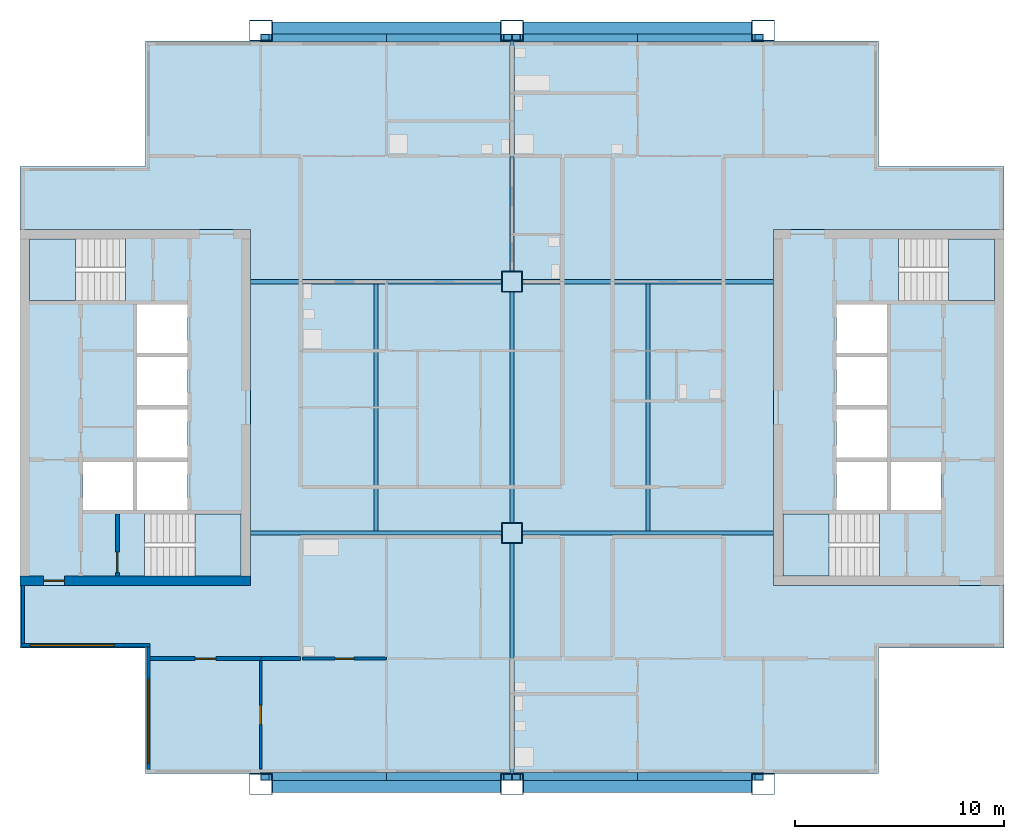
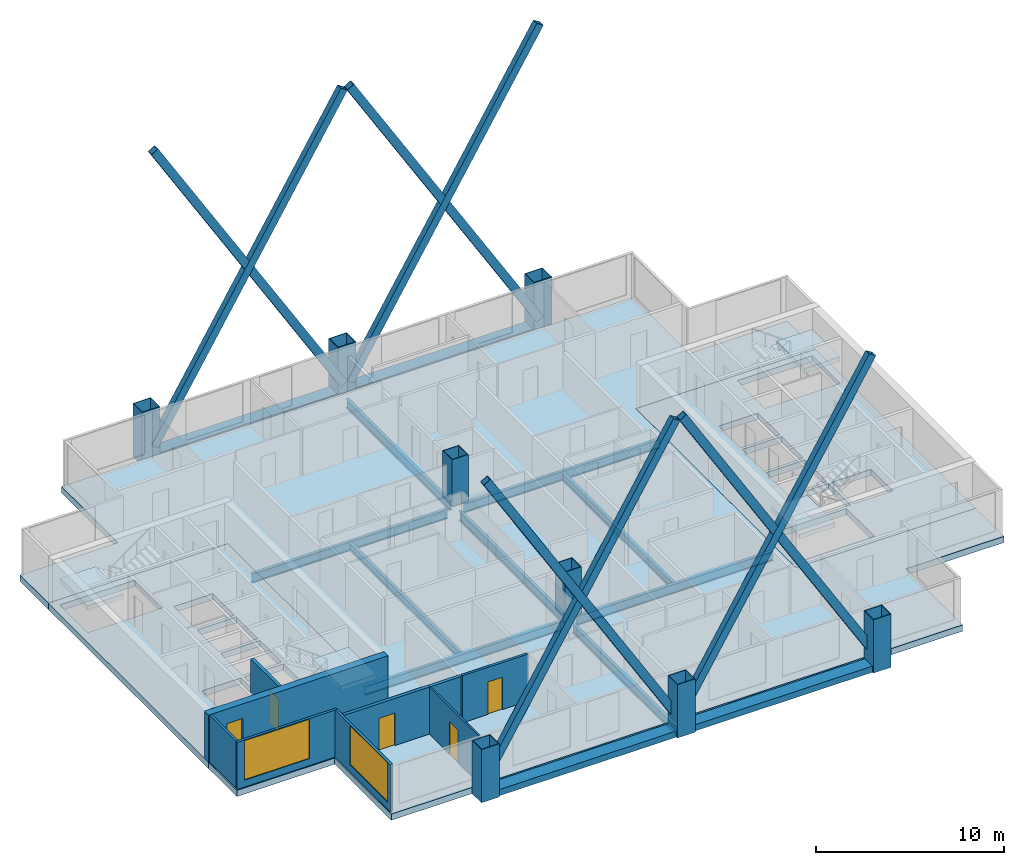
# One storey, part 1 of 9: 13 beams, 9 walls, 8 columns, 8 members, 7 slabs, 5 doors, 2 windows, 7 openings, 4 elements without a shape of their own.
"""IFC4 building model written with IfcOpenShell, lengths in metres."""

import ifcopenshell
import ifcopenshell.guid

model = None  # the IFC model being written
_history = None  # IfcOwnerHistory: only IFC2X3 demands one
_inside = {}  # id of a spatial element -> (the spatial element, [elements in it])
_under = {}  # id of a project, library or spatial element -> (it, [spatial elements below it])
_declared = {}  # id of a project -> (the project, [libraries it declares])
_typed = {}  # id of a type object -> (the type object, [elements of that type])
_made_of = {}  # id of a material, layer set ... -> (it, [elements and type objects made of it])


def new_model(schema):
    """Start an empty IFC model of exactly this schema.

    Asked for "IFC4X3", IfcOpenShell would pick the latest addendum, in which some entities
    have other attributes; the version numbers below select the first issue.
    IFC2X3 requires an IfcOwnerHistory on every rooted entity: one is made here for all.
    """
    global model, _history
    if schema == "IFC4X3":
        model = ifcopenshell.file(schema_version=(4, 3, 0, 0))
    else:
        model = ifcopenshell.file(schema=schema)
    _inside.clear()
    _under.clear()
    _declared.clear()
    _typed.clear()
    _made_of.clear()
    _history = None
    if model.schema == "IFC2X3":
        org = make("IfcOrganization", Name="unknown")
        user = make(
            "IfcPersonAndOrganization",
            ThePerson=make("IfcPerson", FamilyName="unknown"),
            TheOrganization=org,
        )
        app = make(
            "IfcApplication",
            ApplicationDeveloper=org,
            Version="unknown",
            ApplicationFullName="unknown",
            ApplicationIdentifier="unknown",
        )
        _history = make(
            "IfcOwnerHistory",
            OwningUser=user,
            OwningApplication=app,
            ChangeAction="ADDED",
            CreationDate=0,
        )
    return model


def make(cls, **values):
    """One entity of the class cls with the attributes given. An attribute that is None is left unset."""
    return model.create_entity(
        cls, **{name: value for name, value in values.items() if value is not None}
    )


def rooted(cls, **values):
    """An entity with a GlobalId (a new one), such as an element, a storey or a relation."""
    return make(cls, GlobalId=ifcopenshell.guid.new(), OwnerHistory=_history, **values)


def si_unit(unit_type, name, prefix=None):
    """IfcSIUnit, for example si_unit("LENGTHUNIT", "METRE", prefix="MILLI")."""
    return make("IfcSIUnit", UnitType=unit_type, Prefix=prefix, Name=name)


def assignment(units):
    """IfcUnitAssignment: the units of a project."""
    return None if units is None else make("IfcUnitAssignment", Units=units)


def point(xyz):
    """IfcCartesianPoint."""
    return None if xyz is None else make("IfcCartesianPoint", Coordinates=xyz)


def direction(xyz):
    """IfcDirection."""
    return None if xyz is None else make("IfcDirection", DirectionRatios=xyz)


def frame(location, z_axis=None, x_axis=None):
    """IfcAxis2Placement3D, a coordinate frame: its origin and axes. An axis left out is left unset."""
    return make(
        "IfcAxis2Placement3D",
        Location=point(location),
        Axis=direction(z_axis),
        RefDirection=direction(x_axis),
    )


def frame_2d(location, x_axis=None):
    """IfcAxis2Placement2D, a coordinate frame in the plane: its origin and x axis."""
    return make(
        "IfcAxis2Placement2D", Location=point(location), RefDirection=direction(x_axis)
    )


def origin():
    """The frame at (0, 0, 0) with its axes left unset."""
    return frame((0.0, 0.0, 0.0))


def origin_2d():
    """The frame at (0, 0) in the plane with its x axis left unset."""
    return frame_2d((0.0, 0.0))


def place(relative_to, where):
    """IfcLocalPlacement: puts the frame where relative to a parent placement (None: the world)."""
    return make(
        "IfcLocalPlacement", PlacementRelTo=relative_to, RelativePlacement=where
    )


def context(
    kind, dimensions, precision=None, world=None, true_north=None, identifier=None
):
    """IfcGeometricRepresentationContext, for example the 3D "Model" context."""
    return make(
        "IfcGeometricRepresentationContext",
        ContextIdentifier=identifier,
        ContextType=kind,
        CoordinateSpaceDimension=dimensions,
        Precision=precision,
        WorldCoordinateSystem=world,
        TrueNorth=true_north,
    )


def subcontext(parent, identifier, kind, view, scale=None):
    """IfcGeometricRepresentationSubContext, for example "Body" below "Model"."""
    return make(
        "IfcGeometricRepresentationSubContext",
        ContextIdentifier=identifier,
        ContextType=kind,
        ParentContext=parent,
        TargetScale=scale,
        TargetView=view,
    )


def project(units=None, contexts=None):
    """IfcProject with its units and contexts."""
    return rooted(
        "IfcProject",
        Name="project",
        RepresentationContexts=contexts,
        UnitsInContext=assignment(units),
    )


def spatial(cls, under=None, at=None, **own):
    """A site, building, storey or space (cls), placed at a placement, below another one or the project."""
    s = rooted(cls, ObjectPlacement=at, **own)
    if under is not None:
        _under.setdefault(under.id(), (under, []))[1].append(s)
    return s


def polyline(points):
    """IfcPolyline through the points."""
    return make("IfcPolyline", Points=[point(p) for p in points])


def profile(cls, at=None, kind="AREA", **sizes):
    """A parametric profile (cls). Its sizes go by their IFC names, for example OverallWidth=200.0."""
    return make(cls, ProfileType=kind, Position=at, **sizes)


def rectangle(**sizes):
    """IfcRectangleProfileDef."""
    return profile("IfcRectangleProfileDef", **sizes)


def hollow_rectangle(**sizes):
    """IfcRectangleHollowProfileDef."""
    return profile("IfcRectangleHollowProfileDef", **sizes)


def i_section(**sizes):
    """IfcIShapeProfileDef."""
    return profile("IfcIShapeProfileDef", **sizes)


def outline(outer, holes=None, kind="AREA"):
    """IfcArbitraryClosedProfileDef: a profile drawn as a closed curve; with holes, ...WithVoids."""
    if holes is None:
        return make("IfcArbitraryClosedProfileDef", ProfileType=kind, OuterCurve=outer)
    return make(
        "IfcArbitraryProfileDefWithVoids",
        ProfileType=kind,
        OuterCurve=outer,
        InnerCurves=holes,
    )


def extrude(swept, where, along, depth):
    """IfcExtrudedAreaSolid: the profile swept, set in the frame where, extruded along a direction by depth."""
    return make(
        "IfcExtrudedAreaSolid",
        SweptArea=swept,
        Position=where,
        ExtrudedDirection=direction(along),
        Depth=depth,
    )


def shape(context_of_items, identifier, shape_type, items):
    """IfcShapeRepresentation: the items that make up one representation, for example the "Body"."""
    return make(
        "IfcShapeRepresentation",
        ContextOfItems=context_of_items,
        RepresentationIdentifier=identifier,
        RepresentationType=shape_type,
        Items=items,
    )


def material(Name=None, Category=None):
    """IfcMaterial."""
    return make("IfcMaterial", Name=Name, Category=Category)


def layer(
    of_material, thickness, ventilated=None, Name=None, Category=None, Priority=None
):
    """IfcMaterialLayer: one layer of a wall or slab, of a material (None: an air gap)."""
    return make(
        "IfcMaterialLayer",
        Material=of_material,
        LayerThickness=thickness,
        IsVentilated=ventilated,
        Name=Name,
        Category=Category,
        Priority=Priority,
    )


def layer_set(layers, Name=None):
    """IfcMaterialLayerSet."""
    return make("IfcMaterialLayerSet", MaterialLayers=layers, LayerSetName=Name)


def material_profile(
    of_material, cross_section, Name=None, Category=None, Priority=None
):
    """IfcMaterialProfile: a cross section and its material."""
    return make(
        "IfcMaterialProfile",
        Name=Name,
        Material=of_material,
        Profile=cross_section,
        Priority=Priority,
        Category=Category,
    )


def profile_set(profiles, Name=None, composite=None):
    """IfcMaterialProfileSet."""
    return make(
        "IfcMaterialProfileSet",
        Name=Name,
        MaterialProfiles=profiles,
        CompositeProfile=composite,
    )


def made_of(thing, what):
    """Note that an element or type object is made of a material, layer set ...; save() writes the relation."""
    if what is not None:
        _made_of.setdefault(what.id(), (what, []))[1].append(thing)
    return thing


def type_object(cls, material=None, **own):
    """A type object (cls), such as IfcWallType, which elements share."""
    return made_of(rooted(cls, **own), material)


def element(
    cls,
    number,
    at=None,
    inside=None,
    cuts=None,
    type_object=None,
    material=None,
    context=None,
    identifier="Body",
    shape_type=None,
    held_by="IfcProductDefinitionShape",
    body=None,
    shapes=None,
    **own,
):
    """One element of the class cls, such as IfcWall. Its Tag is "e" and its number.

    at: its placement. inside: the storey or other place that contains it. cuts: it is an
    opening in that element (IfcRelVoidsElement). A single representation is given by context,
    identifier, shape_type and body (its items); several are given by shapes. held_by: the class
    of the entity that holds the representations. save() writes the other relations.
    """
    e = rooted(cls, Tag="e%d" % number, ObjectPlacement=at, **own)
    if body is not None:
        shapes = [shape(context, identifier, shape_type, body)]
    if shapes is not None:
        e.Representation = make(held_by, Representations=shapes)
    if inside is not None:
        _inside.setdefault(inside.id(), (inside, []))[1].append(e)
    if cuts is not None:
        rooted(
            "IfcRelVoidsElement", RelatingBuildingElement=cuts, RelatedOpeningElement=e
        )
    if type_object is not None:
        _typed.setdefault(type_object.id(), (type_object, []))[1].append(e)
    return made_of(e, material)


def fill(opening, filler):
    """IfcRelFillsElement: the door or window that sits in an opening."""
    return rooted(
        "IfcRelFillsElement",
        RelatingOpeningElement=opening,
        RelatedBuildingElement=filler,
    )


def aggregate(whole, parts):
    """IfcRelAggregates: a whole, such as a stair, and the parts it consists of."""
    return rooted("IfcRelAggregates", RelatingObject=whole, RelatedObjects=parts)


def save(model, path):
    """Write the relations noted so far, then the file.

    IfcRelAggregates (storeys below a building ...), IfcRelContainedInSpatialStructure (elements
    in a storey), IfcRelDefinesByType, IfcRelAssociatesMaterial and IfcRelDeclares: one each for
    every whole, place, type object, material and project.
    """
    for whole, parts in _under.values():
        aggregate(whole, parts)
    for where, things in _inside.values():
        rooted(
            "IfcRelContainedInSpatialStructure",
            RelatedElements=things,
            RelatingStructure=where,
        )
    for kind, things in _typed.values():
        rooted("IfcRelDefinesByType", RelatedObjects=things, RelatingType=kind)
    for what, things in _made_of.values():
        rooted("IfcRelAssociatesMaterial", RelatedObjects=things, RelatingMaterial=what)
    for by, libraries in _declared.values():
        rooted("IfcRelDeclares", RelatingContext=by, RelatedDefinitions=libraries)
    model.write(path)


model = new_model("IFC4")

# Units and contexts
model_context = context("Model", 3, precision=1e-05, world=origin(), true_north=direction((0.0, 1.0)))
body_context = subcontext(model_context, "Body", "Model", "MODEL_VIEW")
ifc_project = project(units=[si_unit("LENGTHUNIT", "METRE"), si_unit("AREAUNIT", "SQUARE_METRE"), si_unit("VOLUMEUNIT", "CUBIC_METRE"), si_unit("PLANEANGLEUNIT", "RADIAN"), si_unit("MASSUNIT", "GRAM", prefix="KILO")], contexts=[model_context])

# Site, building, storey
site_placement = place(None, origin())
site = spatial("IfcSite", under=ifc_project, at=site_placement, CompositionType="ELEMENT")
building_placement = place(site_placement, origin())
building = spatial("IfcBuilding", under=site, at=building_placement, Name="Kitamizu Gate Tower and Museum", CompositionType="ELEMENT")
storey_placement = place(building_placement, frame((0.0, 0.0, 217.949951171875)))
storey = spatial("IfcBuildingStorey", under=building, at=storey_placement, Name="L58", CompositionType="ELEMENT", Elevation=217.949951171875)

# Columns
ifc_material_1 = material(Name="Steel SM490A bronze coated", Category="steel")
ifc_material_profile_1 = material_profile(ifc_material_1, hollow_rectangle(XDim=1.10009765625, YDim=1.0, WallThickness=0.0400390625, at=origin_2d()), Name="BOX 1100x1000x40")
ifc_profile_set_1 = profile_set([ifc_material_profile_1], Name="Steel SM490A bronze coated")
column_type_1 = type_object("IfcColumnType", Name="Exoskeleton column XC8 BOX 1100x1000x40", PredefinedType="COLUMN", material=ifc_profile_set_1)
for number, where, z_axis, x_axis, name in (
    (1, (24.0, 12.0, -0.39990234375), (0.0, 0.0, 1.0), (1.0, 0.0, 0.0), "Column XC8 3B L58"),
    (2, (24.0, 48.0, -0.39990234375), (0.0, 0.0, 1.0), (1.0, 0.0, 0.0), "Column XC8 3E L58"),
    (3, (36.0, 12.0, -0.39990234375), (0.0, 0.0, 1.0), (1.0, 0.0, 0.0), "Column XC8 4B L58"),
    (4, (36.0, 48.0, -0.39990234375), (0.0, 0.0, 1.0), (1.0, 0.0, 0.0), "Column XC8 4E L58"),
    (5, (48.0, 12.0, -0.39990234375), (0.0, 0.0, 1.0), (1.0, 0.0, 0.0), "Column XC8 5B L58"),
    (6, (48.0, 48.0, -0.39990234375), (0.0, 0.0, 1.0), (1.0, 0.0, 0.0), "Column XC8 5E L58"),
):
    element("IfcColumn", number, at=place(storey_placement, frame(where, z_axis=z_axis, x_axis=x_axis)), inside=storey, type_object=column_type_1, Name=name, PredefinedType="COLUMN", context=body_context, shape_type="SweptSolid", body=[
        extrude(hollow_rectangle(XDim=1.10009765625, YDim=1.0, WallThickness=0.0400390625, at=origin_2d()), origin(), (0.0, 0.0, 1.0), 3.449951171875),
    ])
ifc_material_2 = material(Name="Steel SM490A", Category="steel")
ifc_material_profile_2 = material_profile(ifc_material_2, hollow_rectangle(XDim=1.0, YDim=1.0, WallThickness=0.0400390625, at=origin_2d()), Name="BOX 1000x1000x40")
ifc_profile_set_2 = profile_set([ifc_material_profile_2], Name="Steel SM490A")
column_type_2 = type_object("IfcColumnType", Name="Interior column IC5 BOX 1000x1000x40", PredefinedType="COLUMN", material=ifc_profile_set_2)
for number, where, z_axis, x_axis, name in (
    (7, (36.0, 24.0, 0.0), (0.0, 0.0, 1.0), (1.0, 0.0, 0.0), "Column IC5 4C L58"),
    (8, (36.0, 36.0, 0.0), (0.0, 0.0, 1.0), (1.0, 0.0, 0.0), "Column IC5 4D L58"),
):
    element("IfcColumn", number, at=place(storey_placement, frame(where, z_axis=z_axis, x_axis=x_axis)), inside=storey, type_object=column_type_2, Name=name, PredefinedType="COLUMN", context=body_context, shape_type="SweptSolid", body=[
        extrude(hollow_rectangle(XDim=1.0, YDim=1.0, WallThickness=0.0400390625, at=origin_2d()), origin(), (0.0, 0.0, 1.0), 3.050048828125),
    ])

# Members
ifc_material_3 = material(Name="Steel SM490A bronze coated", Category="steel")
ifc_material_profile_3 = material_profile(ifc_material_3, hollow_rectangle(XDim=0.3798828125, YDim=0.47998046875, WallThickness=0.02587890625, at=origin_2d()), Name="BOX 380x480x26")
ifc_profile_set_3 = profile_set([ifc_material_profile_3], Name="Steel SM490A bronze coated")
member_type = type_object("IfcMemberType", Name="Exoskeleton brace XB10 BOX 380x480x26", PredefinedType="BRACE", material=ifc_profile_set_3)
for number, where, z_axis, x_axis, name in (
    (9, (24.199951171875, 12.360107421875, 0.60009765625), (0.519101004537, 0.0, 0.854712903312), (0.0, 1.0, 0.0), "Exoskeleton brace XB10 south 24 L58"),
    (10, (35.800048828125, 12.360107421875, 0.60009765625), (-0.519101004537, 0.0, 0.854712903312), (0.0, -1.0, 0.0), "Exoskeleton brace XB10 south 24 L58"),
    (11, (36.199951171875, 12.360107421875, 0.60009765625), (0.519101004537, 0.0, 0.854712903312), (0.0, 1.0, 0.0), "Exoskeleton brace XB10 south 36 L58"),
    (12, (47.800048828125, 12.360107421875, 0.60009765625), (-0.519101004537, 0.0, 0.854712903312), (0.0, -1.0, 0.0), "Exoskeleton brace XB10 south 36 L58"),
    (13, (24.199951171875, 47.639892578125, 0.60009765625), (0.519101004537, 0.0, 0.854712903312), (0.0, 1.0, 0.0), "Exoskeleton brace XB10 north 24 L58"),
    (14, (35.800048828125, 47.639892578125, 0.60009765625), (-0.519101004537, 0.0, 0.854712903312), (0.0, -1.0, 0.0), "Exoskeleton brace XB10 north 24 L58"),
    (15, (36.199951171875, 47.639892578125, 0.60009765625), (0.519101004537, 0.0, 0.854712903312), (0.0, 1.0, 0.0), "Exoskeleton brace XB10 north 36 L58"),
    (16, (47.800048828125, 47.639892578125, 0.60009765625), (-0.519101004537, 0.0, 0.854712903312), (0.0, -1.0, 0.0), "Exoskeleton brace XB10 north 36 L58"),
):
    element("IfcMember", number, at=place(storey_placement, frame(where, z_axis=z_axis, x_axis=x_axis)), inside=storey, type_object=member_type, Name=name, PredefinedType="BRACE", context=body_context, shape_type="SweptSolid", body=[
        extrude(hollow_rectangle(XDim=0.3798828125, YDim=0.47998046875, WallThickness=0.02587890625, at=origin_2d()), origin(), (0.0, 0.0, 1.0), 22.346435546875),
    ])

# Beams
ifc_material_4 = material(Name="Steel SM490A bronze coated", Category="steel")
ifc_material_profile_4 = material_profile(ifc_material_4, hollow_rectangle(XDim=0.800048828125, YDim=0.39990234375, WallThickness=0.0400390625, at=origin_2d()), Name="BOX 800x400x40")
ifc_profile_set_4 = profile_set([ifc_material_profile_4], Name="Steel SM490A bronze coated")
beam_type_1 = type_object("IfcBeamType", Name="Exoskeleton spandrel beam SB1 BOX 800x400x40", PredefinedType="SPANDREL", material=ifc_profile_set_4)
for number, where, z_axis, x_axis, name in (
    (17, (24.550048828125, 12.0, -0.199951171875), (1.0, 0.0, 0.0), (0.0, 1.0, 0.0), "Exoskeleton spandrel beam south 24 L58"),
    (18, (36.550048828125, 12.0, -0.199951171875), (1.0, 0.0, 0.0), (0.0, 1.0, 0.0), "Exoskeleton spandrel beam south 36 L58"),
    (19, (24.550048828125, 48.0, -0.199951171875), (1.0, 0.0, 0.0), (0.0, 1.0, 0.0), "Exoskeleton spandrel beam north 24 L58"),
    (20, (36.550048828125, 48.0, -0.199951171875), (1.0, 0.0, 0.0), (0.0, 1.0, 0.0), "Exoskeleton spandrel beam north 36 L58"),
):
    element("IfcBeam", number, at=place(storey_placement, frame(where, z_axis=z_axis, x_axis=x_axis)), inside=storey, type_object=beam_type_1, Name=name, PredefinedType="SPANDREL", context=body_context, shape_type="SweptSolid", body=[
        extrude(hollow_rectangle(XDim=0.800048828125, YDim=0.39990234375, WallThickness=0.0400390625, at=origin_2d()), origin(), (0.0, 0.0, 1.0), 10.89990234375),
    ])
ifc_material_5 = material(Name="Steel SM490A", Category="steel")
ifc_material_profile_5 = material_profile(ifc_material_5, i_section(OverallWidth=0.199951171875, OverallDepth=0.5, WebThickness=0.010009765625, FlangeThickness=0.01611328125, FilletRadius=0.02001953125, at=origin_2d()), Name="H-500x200x10x16")
ifc_profile_set_5 = profile_set([ifc_material_profile_5], Name="Steel SM490A")
beam_type_2 = type_object("IfcBeamType", Name="Floor beam FB1 H 500x200x10x16", PredefinedType="BEAM", material=ifc_profile_set_5)
for number, where, z_axis, x_axis, name in (
    (21, (29.5, 24.10009765625, -0.64990234375), (0.0, 1.0, 0.0), (-1.0, 0.0, 0.0), "Floor beam FB1 L58-1"),
    (22, (42.5, 24.10009765625, -0.64990234375), (0.0, 1.0, 0.0), (-1.0, 0.0, 0.0), "Floor beam FB1 L58-2"),
):
    element("IfcBeam", number, at=place(storey_placement, frame(where, z_axis=z_axis, x_axis=x_axis)), inside=storey, type_object=beam_type_2, Name=name, PredefinedType="BEAM", context=body_context, shape_type="SweptSolid", body=[
        extrude(i_section(OverallWidth=0.199951171875, OverallDepth=0.5, WebThickness=0.010009765625, FlangeThickness=0.01611328125, FilletRadius=0.02001953125, at=origin_2d()), origin(), (0.0, 0.0, 1.0), 11.7998046875),
    ])
ifc_material_6 = material(Name="Steel SM490A", Category="steel")
ifc_material_profile_6 = material_profile(ifc_material_6, i_section(OverallWidth=0.199951171875, OverallDepth=0.60009765625, WebThickness=0.010986328125, FlangeThickness=0.01708984375, FilletRadius=0.02197265625, at=origin_2d()), Name="H-600x200x11x17")
ifc_profile_set_6 = profile_set([ifc_material_profile_6], Name="Steel SM490A")
beam_type_3 = type_object("IfcBeamType", Name="Floor girder FG1 H 600x200x11x17", PredefinedType="BEAM", material=ifc_profile_set_6)
for number, where, z_axis, x_axis, name in (
    (23, (36.0, 12.5, -0.699951171875), (0.0, 1.0, 0.0), (-1.0, 0.0, 0.0), "Floor girder FG1 x36 L58"),
    (24, (36.0, 24.5, -0.699951171875), (0.0, 1.0, 0.0), (-1.0, 0.0, 0.0), "Floor girder FG1 x36 L58"),
    (25, (36.0, 36.5, -0.699951171875), (0.0, 1.0, 0.0), (-1.0, 0.0, 0.0), "Floor girder FG1 x36 L58"),
):
    element("IfcBeam", number, at=place(storey_placement, frame(where, z_axis=z_axis, x_axis=x_axis)), inside=storey, type_object=beam_type_3, Name=name, PredefinedType="BEAM", context=body_context, shape_type="SweptSolid", body=[
        extrude(i_section(OverallWidth=0.199951171875, OverallDepth=0.60009765625, WebThickness=0.010986328125, FlangeThickness=0.01708984375, FilletRadius=0.02197265625, at=origin_2d()), origin(), (0.0, 0.0, 1.0), 11.0),
    ])
for number, where, z_axis, x_axis, name in (
    (26, (23.5, 24.0, -0.699951171875), (1.0, 0.0, 0.0), (0.0, 1.0, 0.0), "Floor girder FG1 y24 L58"),
    (27, (36.5, 24.0, -0.699951171875), (1.0, 0.0, 0.0), (0.0, 1.0, 0.0), "Floor girder FG1 y24 L58"),
    (28, (23.5, 36.0, -0.699951171875), (1.0, 0.0, 0.0), (0.0, 1.0, 0.0), "Floor girder FG1 y36 L58"),
    (29, (36.5, 36.0, -0.699951171875), (1.0, 0.0, 0.0), (0.0, 1.0, 0.0), "Floor girder FG1 y36 L58"),
):
    element("IfcBeam", number, at=place(storey_placement, frame(where, z_axis=z_axis, x_axis=x_axis)), inside=storey, type_object=beam_type_3, Name=name, PredefinedType="BEAM", context=body_context, shape_type="SweptSolid", body=[
        extrude(i_section(OverallWidth=0.199951171875, OverallDepth=0.60009765625, WebThickness=0.010986328125, FlangeThickness=0.01708984375, FilletRadius=0.02197265625, at=origin_2d()), origin(), (0.0, 0.0, 1.0), 12.0),
    ])

# Slabs
ifc_material_7 = material(Name="Concrete Fc36", Category="concrete")
ifc_layer_1 = layer(ifc_material_7, 0.39990234375)
ifc_layer_set_1 = layer_set([ifc_layer_1], Name="Concrete Fc36")
slab_type_1 = type_object("IfcSlabType", Name="Core floor slab 400", PredefinedType="FLOOR", material=ifc_layer_set_1)
slab_1_placement = place(storey_placement, frame((0.0, 0.0, -0.39990234375)))
element("IfcSlab", 30, at=slab_1_placement, inside=storey, type_object=slab_type_1, Name="Core floor slab W", PredefinedType="FLOOR", context=body_context, shape_type="SweptSolid", body=[
    extrude(outline(polyline([(12.5, 21.5), (23.5, 21.5), (23.5, 38.5), (12.5, 38.5), (12.5, 21.5)]), holes=[polyline([(15.5, 25.10009765625), (17.89990234375, 25.10009765625), (17.89990234375, 27.39990234375), (15.5, 27.39990234375), (15.5, 25.10009765625)]), polyline([(18.10009765625, 25.10009765625), (20.5, 25.10009765625), (20.5, 27.39990234375), (18.10009765625, 27.39990234375), (18.10009765625, 25.10009765625)]), polyline([(18.10009765625, 27.60009765625), (20.5, 27.60009765625), (20.5, 29.89990234375), (18.10009765625, 29.89990234375), (18.10009765625, 27.60009765625)]), polyline([(18.10009765625, 30.10009765625), (20.5, 30.10009765625), (20.5, 32.39990234375), (18.10009765625, 32.39990234375), (18.10009765625, 30.10009765625)]), polyline([(18.10009765625, 32.60009765625), (20.5, 32.60009765625), (20.5, 34.89990234375), (18.10009765625, 34.89990234375), (18.10009765625, 32.60009765625)]), polyline([(18.45068359375, 21.949951171875), (23.050048828125, 21.949951171875), (23.050048828125, 24.89990234375), (18.45068359375, 24.89990234375), (18.45068359375, 21.949951171875)]), polyline([(12.949951171875, 35.10009765625), (17.54931640625, 35.10009765625), (17.54931640625, 38.050048828125), (12.949951171875, 38.050048828125), (12.949951171875, 35.10009765625)])]), origin(), (0.0, 0.0, 1.0), 0.39990234375),
])
slab_2_placement = place(storey_placement, frame((0.0, 0.0, -0.39990234375)))
element("IfcSlab", 31, at=slab_2_placement, inside=storey, type_object=slab_type_1, Name="Core floor slab E", PredefinedType="FLOOR", context=body_context, shape_type="SweptSolid", body=[
    extrude(outline(polyline([(48.5, 21.5), (59.5, 21.5), (59.5, 38.5), (48.5, 38.5), (48.5, 21.5)]), holes=[polyline([(54.10009765625, 25.10009765625), (56.5, 25.10009765625), (56.5, 27.39990234375), (54.10009765625, 27.39990234375), (54.10009765625, 25.10009765625)]), polyline([(51.5, 25.10009765625), (53.89990234375, 25.10009765625), (53.89990234375, 27.39990234375), (51.5, 27.39990234375), (51.5, 25.10009765625)]), polyline([(51.5, 27.60009765625), (53.89990234375, 27.60009765625), (53.89990234375, 29.89990234375), (51.5, 29.89990234375), (51.5, 27.60009765625)]), polyline([(51.5, 30.10009765625), (53.89990234375, 30.10009765625), (53.89990234375, 32.39990234375), (51.5, 32.39990234375), (51.5, 30.10009765625)]), polyline([(51.5, 32.60009765625), (53.89990234375, 32.60009765625), (53.89990234375, 34.89990234375), (51.5, 34.89990234375), (51.5, 32.60009765625)]), polyline([(48.949951171875, 21.949951171875), (53.54931640625, 21.949951171875), (53.54931640625, 24.89990234375), (48.949951171875, 24.89990234375), (48.949951171875, 21.949951171875)]), polyline([(54.45068359375, 35.10009765625), (59.050048828125, 35.10009765625), (59.050048828125, 38.050048828125), (54.45068359375, 38.050048828125), (54.45068359375, 35.10009765625)])]), origin(), (0.0, 0.0, 1.0), 0.39990234375),
])
ifc_material_8 = material(Name="Concrete Fc36", Category="concrete")
ifc_layer_2 = layer(ifc_material_8, 0.39990234375)
ifc_layer_set_2 = layer_set([ifc_layer_2], Name="Concrete Fc36")
slab_type_2 = type_object("IfcSlabType", Name="Post tensioned flat slab 400", PredefinedType="FLOOR", material=ifc_layer_set_2)
slab_3_placement = place(storey_placement, frame((0.0, 0.0, -0.39990234375)))
element("IfcSlab", 32, at=slab_3_placement, inside=storey, type_object=slab_type_2, Name="Floor slab L58-1", PredefinedType="FLOOR", context=body_context, shape_type="SweptSolid", body=[
    extrude(outline(polyline([(12.5, 18.5), (12.5, 21.5), (23.5, 21.5), (23.5, 38.5), (12.5, 38.5), (12.5, 41.5), (18.5, 41.5), (18.5, 47.5), (53.5, 47.5), (53.5, 41.5), (59.5, 41.5), (59.5, 38.5), (48.5, 38.5), (48.5, 21.5), (59.5, 21.5), (59.5, 18.5), (53.5, 18.5), (53.5, 12.5), (18.5, 12.5), (18.5, 18.5), (12.5, 18.5)])), origin(), (0.0, 0.0, 1.0), 0.39990234375),
])

# Stair, slab
ifc_material_9 = material(Name="Concrete Fc42", Category="concrete")
stair_type = type_object("IfcStairType", Name="Exit stair 1375 wide 192 rise 300 going", PredefinedType="HALF_TURN_STAIR", material=ifc_material_9)
stair_1_placement = place(storey_placement, origin())
stair_1 = element("IfcStair", 33, at=stair_1_placement, inside=storey, type_object=stair_type, Name="Exit stair ST1", PredefinedType="HALF_TURN_STAIR")
ifc_material_10 = material(Name="Concrete Fc42", Category="concrete")
ifc_layer_3 = layer(ifc_material_10, 0.300048828125)
ifc_layer_set_3 = layer_set([ifc_layer_3], Name="Concrete Fc42")
slab_type_3 = type_object("IfcSlabType", Name="Stair landing 300", PredefinedType="LANDING", material=ifc_layer_set_3)
slab_4_placement = place(storey_placement, frame((0.0, 0.0, 1.425048828125)))
slab_4 = element("IfcSlab", 34, at=slab_4_placement, type_object=slab_type_3, Name="ST1 landing 1", PredefinedType="LANDING", context=body_context, shape_type="SweptSolid", body=[
    extrude(outline(polyline([(20.85009765625, 21.949951171875), (23.050048828125, 21.949951171875), (23.050048828125, 24.89990234375), (20.85009765625, 24.89990234375), (20.85009765625, 21.949951171875)])), origin(), (0.0, 0.0, 1.0), 0.300048828125),
])
aggregate(stair_1, [slab_4])

stair_2_placement = place(storey_placement, origin())
stair_2 = element("IfcStair", 35, at=stair_2_placement, inside=storey, type_object=stair_type, Name="Exit stair ST2", PredefinedType="HALF_TURN_STAIR")
slab_5_placement = place(storey_placement, frame((0.0, 0.0, 1.425048828125)))
slab_5 = element("IfcSlab", 36, at=slab_5_placement, type_object=slab_type_3, Name="ST2 landing 1", PredefinedType="LANDING", context=body_context, shape_type="SweptSolid", body=[
    extrude(outline(polyline([(12.949951171875, 35.10009765625), (15.14990234375, 35.10009765625), (15.14990234375, 38.050048828125), (12.949951171875, 38.050048828125), (12.949951171875, 35.10009765625)])), origin(), (0.0, 0.0, 1.0), 0.300048828125),
])
aggregate(stair_2, [slab_5])

stair_3_placement = place(storey_placement, origin())
stair_3 = element("IfcStair", 37, at=stair_3_placement, inside=storey, type_object=stair_type, Name="Exit stair ST3", PredefinedType="HALF_TURN_STAIR")
slab_6_placement = place(storey_placement, frame((0.0, 0.0, 1.425048828125)))
slab_6 = element("IfcSlab", 38, at=slab_6_placement, type_object=slab_type_3, Name="ST3 landing 1", PredefinedType="LANDING", context=body_context, shape_type="SweptSolid", body=[
    extrude(outline(polyline([(48.949951171875, 21.949951171875), (51.14990234375, 21.949951171875), (51.14990234375, 24.89990234375), (48.949951171875, 24.89990234375), (48.949951171875, 21.949951171875)])), origin(), (0.0, 0.0, 1.0), 0.300048828125),
])
aggregate(stair_3, [slab_6])

stair_4_placement = place(storey_placement, origin())
stair_4 = element("IfcStair", 39, at=stair_4_placement, inside=storey, type_object=stair_type, Name="Exit stair ST4", PredefinedType="HALF_TURN_STAIR")
slab_7_placement = place(storey_placement, frame((0.0, 0.0, 1.425048828125)))
slab_7 = element("IfcSlab", 40, at=slab_7_placement, type_object=slab_type_3, Name="ST4 landing 1", PredefinedType="LANDING", context=body_context, shape_type="SweptSolid", body=[
    extrude(outline(polyline([(56.85009765625, 35.10009765625), (59.050048828125, 35.10009765625), (59.050048828125, 38.050048828125), (56.85009765625, 38.050048828125), (56.85009765625, 35.10009765625)])), origin(), (0.0, 0.0, 1.0), 0.300048828125),
])
aggregate(stair_4, [slab_7])

# Wall, opening, door
ifc_material_11 = material(Name="Concrete Fc42", Category="concrete")
ifc_layer_4 = layer(ifc_material_11, 0.449951171875)
ifc_layer_set_4 = layer_set([ifc_layer_4], Name="Concrete Fc42")
wall_type_1 = type_object("IfcWallType", Name="Core wall 450", PredefinedType="SHEAR", material=ifc_layer_set_4)
wall_1_placement = place(storey_placement, frame((12.5, 21.72509765625, 0.0), z_axis=(0.0, 0.0, 1.0), x_axis=(1.0, 0.0, 0.0)))
wall_1 = element("IfcWall", 41, at=wall_1_placement, inside=storey, type_object=wall_type_1, Name="Core wall WS", PredefinedType="SHEAR", context=body_context, shape_type="SweptSolid", body=[
    extrude(rectangle(XDim=11.0, YDim=0.449951171875, at=frame_2d((5.5, 0.0))), origin(), (0.0, 0.0, 1.0), 3.050048828125),
])
opening_1_placement = place(wall_1_placement, frame((1.125, 0.0, 0.0)))
opening_1 = element("IfcOpeningElement", 42, at=opening_1_placement, cuts=wall_1, Name="Opening L58-039", PredefinedType="OPENING", context=body_context, shape_type="SweptSolid", body=[
    extrude(rectangle(XDim=1.0, YDim=2.10009765625, at=frame_2d((0.5, 1.050048828125))), frame((0.0, 0.23486328125, 0.0), z_axis=(0.0, -1.0, 0.0), x_axis=(1.0, 0.0, 0.0)), (0.0, 0.0, 1.0), 0.469970703125),
])
ifc_material_12 = material(Name="Hollow metal door set")
door_type_1 = type_object("IfcDoorType", Name="Fire door 1000", OperationType="NOTDEFINED", PredefinedType="DOOR", material=ifc_material_12)
door_1_placement = place(opening_1_placement, origin())
door_1 = element("IfcDoor", 43, at=door_1_placement, inside=storey, type_object=door_type_1, Name="Fire-fighting lobby door L58-039", OperationType="SINGLE_SWING_LEFT", OverallHeight=2.10009765625, OverallWidth=1.0, PredefinedType="DOOR", context=body_context, shape_type="SweptSolid", body=[
    extrude(rectangle(XDim=1.0, YDim=2.10009765625, at=frame_2d((0.5, 1.050048828125))), frame((0.0, 0.02490234375, 0.0), z_axis=(0.0, -1.0, 0.0), x_axis=(1.0, 0.0, 0.0)), (0.0, 0.0, 1.0), 0.050048828125),
])
fill(opening_1, door_1)

ifc_material_13 = material(Name="Gypsum board on galvanised stud")
ifc_layer_5 = layer(ifc_material_13, 0.10009765625)
ifc_layer_set_5 = layer_set([ifc_layer_5], Name="Gypsum board on galvanised stud")
wall_type_2 = type_object("IfcWallType", Name="Partition 100 NOT RATED", PredefinedType="PARTITIONING", material=ifc_layer_set_5)
wall_2_placement = place(storey_placement, frame((24.0, 12.719970703125, 0.0), z_axis=(0.0, 0.0, 1.0), x_axis=(0.0, 1.0, 0.0)))
wall_2 = element("IfcWall", 44, at=wall_2_placement, inside=storey, type_object=wall_type_2, Name="Partition L58-001", PredefinedType="PARTITIONING", context=body_context, shape_type="SweptSolid", body=[
    extrude(rectangle(XDim=5.179931640625, YDim=0.10009765625, at=frame_2d((2.58984375, 0.0))), origin(), (0.0, 0.0, 1.0), 3.050048828125),
])
opening_2_placement = place(wall_2_placement, frame((2.139892578125, 0.0, 0.0)))
opening_2 = element("IfcOpeningElement", 45, at=opening_2_placement, cuts=wall_2, Name="Opening L58-002", PredefinedType="OPENING", context=body_context, shape_type="SweptSolid", body=[
    extrude(rectangle(XDim=0.89990234375, YDim=2.10009765625, at=frame_2d((0.449951171875, 1.050048828125))), frame((0.0, 0.06005859375, 0.0), z_axis=(0.0, -1.0, 0.0), x_axis=(1.0, 0.0, 0.0)), (0.0, 0.0, 1.0), 0.1201171875),
])
ifc_material_14 = material(Name="Timber door set", Category="wood")
door_type_2 = type_object("IfcDoorType", Name="Room door 900", OperationType="NOTDEFINED", PredefinedType="DOOR", material=ifc_material_14)
door_2_placement = place(opening_2_placement, frame((0.89990234375, 0.0, 0.0), x_axis=(-1.0, 0.0, 0.0)))
door_2 = element("IfcDoor", 46, at=door_2_placement, inside=storey, type_object=door_type_2, Name="Door L58-002", OperationType="SINGLE_SWING_RIGHT", OverallHeight=2.10009765625, OverallWidth=0.89990234375, PredefinedType="DOOR", context=body_context, shape_type="SweptSolid", body=[
    extrude(rectangle(XDim=0.89990234375, YDim=2.10009765625, at=frame_2d((0.449951171875, 1.050048828125))), frame((0.0, 0.02490234375, 0.0), z_axis=(0.0, -1.0, 0.0), x_axis=(1.0, 0.0, 0.0)), (0.0, 0.0, 1.0), 0.050048828125),
])
fill(opening_2, door_2)

ifc_material_15 = material(Name="Gypsum board on galvanised stud")
ifc_layer_6 = layer(ifc_material_15, 0.14990234375)
ifc_layer_set_6 = layer_set([ifc_layer_6], Name="Gypsum board on galvanised stud")
wall_type_3 = type_object("IfcWallType", Name="Partition 150", PredefinedType="PARTITIONING", material=ifc_layer_set_6)
wall_3_placement = place(storey_placement, frame((30.0, 18.0, 0.0), z_axis=(0.0, 0.0, 1.0), x_axis=(-1.0, 0.0, 0.0)))
wall_3 = element("IfcWall", 47, at=wall_3_placement, inside=storey, type_object=wall_type_3, Name="Partition L58-004", PredefinedType="PARTITIONING", context=body_context, shape_type="SweptSolid", body=[
    extrude(rectangle(XDim=4.0, YDim=0.14990234375, at=frame_2d((2.0, 0.0))), origin(), (0.0, 0.0, 1.0), 3.050048828125),
])
opening_3_placement = place(wall_3_placement, frame((1.550048828125, 0.0, 0.0)))
opening_3 = element("IfcOpeningElement", 48, at=opening_3_placement, cuts=wall_3, Name="Opening L58-004", PredefinedType="OPENING", context=body_context, shape_type="SweptSolid", body=[
    extrude(rectangle(XDim=0.89990234375, YDim=2.10009765625, at=frame_2d((0.449951171875, 1.050048828125))), frame((0.0, 0.0849609375, 0.0), z_axis=(0.0, -1.0, 0.0), x_axis=(1.0, 0.0, 0.0)), (0.0, 0.0, 1.0), 0.169921875),
])
ifc_material_16 = material(Name="Timber door set", Category="wood")
door_type_3 = type_object("IfcDoorType", Name="Bathroom door 900", OperationType="NOTDEFINED", PredefinedType="DOOR", material=ifc_material_16)
door_3_placement = place(opening_3_placement, frame((0.89990234375, 0.0, 0.0), x_axis=(-1.0, 0.0, 0.0)))
door_3 = element("IfcDoor", 49, at=door_3_placement, inside=storey, type_object=door_type_3, Name="Bathroom door L58-004", OperationType="SINGLE_SWING_RIGHT", OverallHeight=2.10009765625, OverallWidth=0.89990234375, PredefinedType="DOOR", context=body_context, shape_type="SweptSolid", body=[
    extrude(rectangle(XDim=0.89990234375, YDim=2.10009765625, at=frame_2d((0.449951171875, 1.050048828125))), frame((0.0, 0.02490234375, 0.0), z_axis=(0.0, -1.0, 0.0), x_axis=(1.0, 0.0, 0.0)), (0.0, 0.0, 1.0), 0.050048828125),
])
fill(opening_3, door_3)

ifc_material_17 = material(Name="Gypsum board on galvanised stud")
ifc_layer_7 = layer(ifc_material_17, 0.199951171875)
ifc_layer_set_7 = layer_set([ifc_layer_7], Name="Gypsum board on galvanised stud")
wall_type_4 = type_object("IfcWallType", Name="Partition 200", PredefinedType="PARTITIONING", material=ifc_layer_set_7)
wall_4_placement = place(storey_placement, frame((24.0, 18.0, 0.0), z_axis=(0.0, 0.0, 1.0), x_axis=(-1.0, 0.0, 0.0)))
wall_4 = element("IfcWall", 50, at=wall_4_placement, inside=storey, type_object=wall_type_4, Name="Partition L58-002", PredefinedType="PARTITIONING", context=body_context, shape_type="SweptSolid", body=[
    extrude(rectangle(XDim=5.280029296875, YDim=0.199951171875, at=frame_2d((2.64013671875, 0.0))), origin(), (0.0, 0.0, 1.0), 3.050048828125),
])
opening_4_placement = place(wall_4_placement, frame((2.139892578125, 0.0, 0.0)))
opening_4 = element("IfcOpeningElement", 51, at=opening_4_placement, cuts=wall_4, Name="Opening L58-001", PredefinedType="OPENING", context=body_context, shape_type="SweptSolid", body=[
    extrude(rectangle(XDim=1.0, YDim=2.10009765625, at=frame_2d((0.5, 1.050048828125))), frame((0.0, 0.10986328125, 0.0), z_axis=(0.0, -1.0, 0.0), x_axis=(1.0, 0.0, 0.0)), (0.0, 0.0, 1.0), 0.219970703125),
])
ifc_material_18 = material(Name="Timber door set", Category="wood")
door_type_4 = type_object("IfcDoorType", Name="Flat entrance door 1000", OperationType="NOTDEFINED", PredefinedType="DOOR", material=ifc_material_18)
door_4_placement = place(opening_4_placement, origin())
door_4 = element("IfcDoor", 52, at=door_4_placement, inside=storey, type_object=door_type_4, Name="Flat entrance door L58-001", OperationType="SINGLE_SWING_RIGHT", OverallHeight=2.10009765625, OverallWidth=1.0, PredefinedType="DOOR", context=body_context, shape_type="SweptSolid", body=[
    extrude(rectangle(XDim=1.0, YDim=2.10009765625, at=frame_2d((0.5, 1.050048828125))), frame((0.0, 0.02490234375, 0.0), z_axis=(0.0, -1.0, 0.0), x_axis=(1.0, 0.0, 0.0)), (0.0, 0.0, 1.0), 0.050048828125),
])
fill(opening_4, door_4)

# Wall
wall_5_placement = place(storey_placement, frame((25.89990234375, 18.0, 0.0), z_axis=(0.0, 0.0, 1.0), x_axis=(-1.0, 0.0, 0.0)))
element("IfcWall", 53, at=wall_5_placement, inside=storey, type_object=wall_type_4, Name="Partition L58-005", PredefinedType="PARTITIONING", context=body_context, shape_type="SweptSolid", body=[
    extrude(rectangle(XDim=1.89990234375, YDim=0.199951171875, at=frame_2d((0.949951171875, 0.0))), origin(), (0.0, 0.0, 1.0), 3.050048828125),
])

# Wall, opening, door
ifc_material_19 = material(Name="Concrete Fc42", Category="concrete")
ifc_layer_8 = layer(ifc_material_19, 0.199951171875)
ifc_layer_set_8 = layer_set([ifc_layer_8], Name="Concrete Fc42")
wall_type_5 = type_object("IfcWallType", Name="Shaft wall 200", PredefinedType="SOLIDWALL", material=ifc_layer_set_8)
wall_6_placement = place(storey_placement, frame((17.14990234375, 21.949951171875, 0.0), z_axis=(0.0, 0.0, 1.0), x_axis=(0.0, 1.0, 0.0)))
wall_6 = element("IfcWall", 54, at=wall_6_placement, inside=storey, type_object=wall_type_5, Name="Shaft wall WSZ", PredefinedType="SOLIDWALL", context=body_context, shape_type="SweptSolid", body=[
    extrude(rectangle(XDim=2.949951171875, YDim=0.199951171875, at=frame_2d((1.47509765625, 0.0))), origin(), (0.0, 0.0, 1.0), 3.050048828125),
])
opening_5_placement = place(wall_6_placement, frame((0.14990234375, 0.0, 0.0)))
opening_5 = element("IfcOpeningElement", 55, at=opening_5_placement, cuts=wall_6, Name="Opening L58-034", PredefinedType="OPENING", context=body_context, shape_type="SweptSolid", body=[
    extrude(rectangle(XDim=1.0, YDim=2.10009765625, at=frame_2d((0.5, 1.050048828125))), frame((0.0, 0.10986328125, 0.0), z_axis=(0.0, -1.0, 0.0), x_axis=(1.0, 0.0, 0.0)), (0.0, 0.0, 1.0), 0.219970703125),
])
door_5_placement = place(opening_5_placement, frame((1.0, 0.0, 0.0), x_axis=(-1.0, 0.0, 0.0)))
door_5 = element("IfcDoor", 56, at=door_5_placement, inside=storey, type_object=door_type_1, Name="Stair door L58-034", OperationType="SINGLE_SWING_LEFT", OverallHeight=2.10009765625, OverallWidth=1.0, PredefinedType="DOOR", context=body_context, shape_type="SweptSolid", body=[
    extrude(rectangle(XDim=1.0, YDim=2.10009765625, at=frame_2d((0.5, 1.050048828125))), frame((0.0, 0.02490234375, 0.0), z_axis=(0.0, -1.0, 0.0), x_axis=(1.0, 0.0, 0.0)), (0.0, 0.0, 1.0), 0.050048828125),
])
fill(opening_5, door_5)

# Wall
ifc_material_20 = material(Name="Bronze anodised aluminium frame with insulated spandrel and tinted glass", Category="aluminium")
ifc_layer_9 = layer(ifc_material_20, 0.14990234375)
ifc_layer_set_9 = layer_set([ifc_layer_9], Name="Bronze anodised aluminium frame with insulated spandrel and tinted glass")
wall_type_6 = type_object("IfcWallType", Name="WINDOW WALL 150 BRONZE FRAME EI 30", PredefinedType="ELEMENTEDWALL", material=ifc_layer_set_9)
wall_7_placement = place(storey_placement, frame((12.635009765625, 18.7099609375, 0.0), z_axis=(0.0, 0.0, 1.0), x_axis=(0.0, 1.0, 0.0)))
element("IfcWall", 57, at=wall_7_placement, inside=storey, type_object=wall_type_6, Name="Window wall west L58", PredefinedType="ELEMENTEDWALL", context=body_context, shape_type="SweptSolid", body=[
    extrude(rectangle(XDim=2.7900390625, YDim=0.14990234375, at=frame_2d((1.39501953125, 0.0))), origin(), (0.0, 0.0, 1.0), 3.050048828125),
])

# Wall, opening, window
wall_8_placement = place(storey_placement, frame((12.56005859375, 18.635009765625, 0.0), z_axis=(0.0, 0.0, 1.0), x_axis=(1.0, 0.0, 0.0)))
wall_8 = element("IfcWall", 58, at=wall_8_placement, inside=storey, type_object=wall_type_6, Name="Window wall south L58", PredefinedType="ELEMENTEDWALL", context=body_context, shape_type="SweptSolid", body=[
    extrude(rectangle(XDim=6.14990234375, YDim=0.14990234375, at=frame_2d((3.074951171875, 0.0))), origin(), (0.0, 0.0, 1.0), 3.050048828125),
])
opening_6_placement = place(wall_8_placement, frame((0.43994140625, 0.0, 0.449951171875)))
opening_6 = element("IfcOpeningElement", 59, at=opening_6_placement, cuts=wall_8, Name="Opening W16", PredefinedType="OPENING", context=body_context, shape_type="SweptSolid", body=[
    extrude(rectangle(XDim=4.0, YDim=2.550048828125, at=frame_2d((2.0, 1.27490234375))), frame((0.0, 0.0849609375, 0.0), z_axis=(0.0, -1.0, 0.0), x_axis=(1.0, 0.0, 0.0)), (0.0, 0.0, 1.0), 0.169921875),
])
ifc_material_21 = material(Name="Bronze anodised aluminium frame, tinted triple glazing", Category="aluminium")
window_type = type_object("IfcWindowType", Name="WINDOW 4000 x 2550 SILL 450", PartitioningType="SINGLE_PANEL", PredefinedType="WINDOW", material=ifc_material_21)
window_1_placement = place(opening_6_placement, origin())
window_1 = element("IfcWindow", 60, at=window_1_placement, inside=storey, type_object=window_type, Name="Window W16 L58", OverallHeight=2.550048828125, OverallWidth=4.0, PartitioningType="SINGLE_PANEL", PredefinedType="WINDOW", context=body_context, shape_type="SweptSolid", body=[
    extrude(rectangle(XDim=4.0, YDim=2.550048828125, at=frame_2d((2.0, 1.27490234375))), frame((0.0, 0.030029296875, 0.0), z_axis=(0.0, -1.0, 0.0), x_axis=(1.0, 0.0, 0.0)), (0.0, 0.0, 1.0), 0.06005859375),
])
fill(opening_6, window_1)

wall_9_placement = place(storey_placement, frame((18.635009765625, 12.7099609375, 0.0), z_axis=(0.0, 0.0, 1.0), x_axis=(0.0, 1.0, 0.0)))
wall_9 = element("IfcWall", 61, at=wall_9_placement, inside=storey, type_object=wall_type_6, Name="Window wall west L58", PredefinedType="ELEMENTEDWALL", context=body_context, shape_type="SweptSolid", body=[
    extrude(rectangle(XDim=5.85009765625, YDim=0.14990234375, at=frame_2d((2.925048828125, 0.0))), origin(), (0.0, 0.0, 1.0), 3.050048828125),
])
opening_7_placement = place(wall_9_placement, frame((0.2900390625, 0.0, 0.449951171875)))
opening_7 = element("IfcOpeningElement", 62, at=opening_7_placement, cuts=wall_9, Name="Opening W16", PredefinedType="OPENING", context=body_context, shape_type="SweptSolid", body=[
    extrude(rectangle(XDim=4.0, YDim=2.550048828125, at=frame_2d((2.0, 1.27490234375))), frame((0.0, 0.0849609375, 0.0), z_axis=(0.0, -1.0, 0.0), x_axis=(1.0, 0.0, 0.0)), (0.0, 0.0, 1.0), 0.169921875),
])
window_2_placement = place(opening_7_placement, origin())
window_2 = element("IfcWindow", 63, at=window_2_placement, inside=storey, type_object=window_type, Name="Window W16 L58", OverallHeight=2.550048828125, OverallWidth=4.0, PartitioningType="SINGLE_PANEL", PredefinedType="WINDOW", context=body_context, shape_type="SweptSolid", body=[
    extrude(rectangle(XDim=4.0, YDim=2.550048828125, at=frame_2d((2.0, 1.27490234375))), frame((0.0, 0.030029296875, 0.0), z_axis=(0.0, -1.0, 0.0), x_axis=(1.0, 0.0, 0.0)), (0.0, 0.0, 1.0), 0.06005859375),
])
fill(opening_7, window_2)

save(model, "model.ifc")
